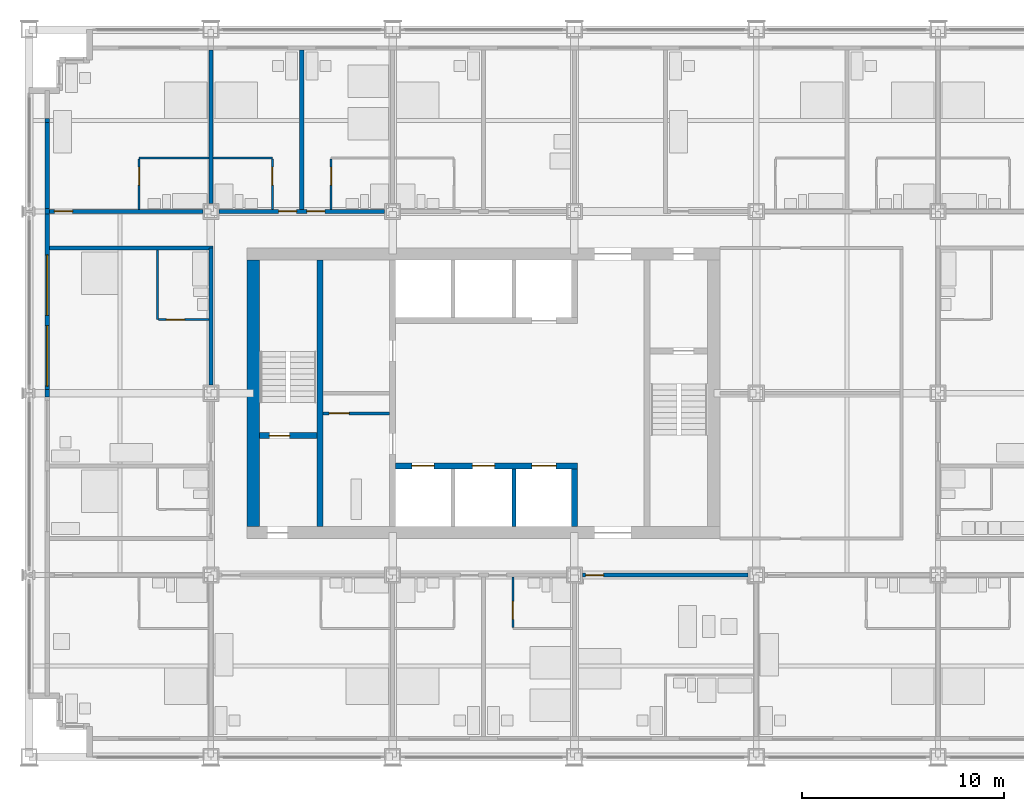
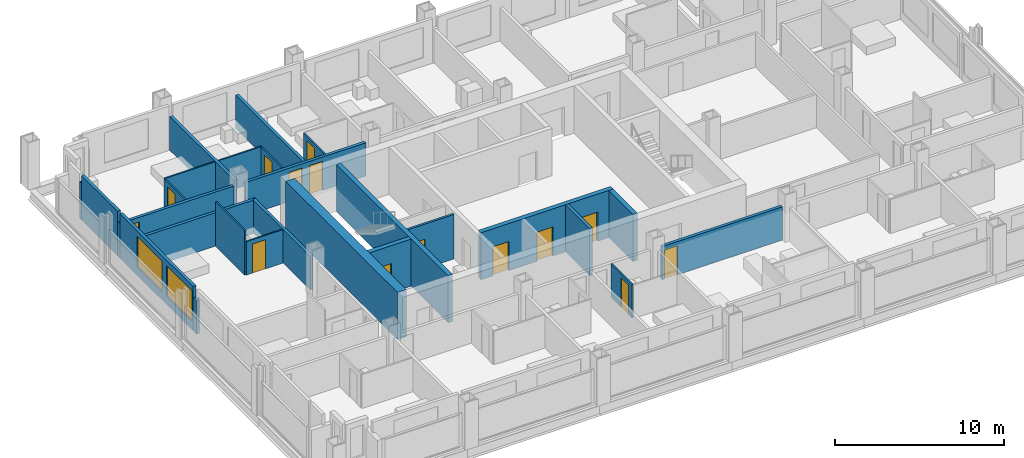
# One storey, part 11 of 18: 27 walls, 14 doors, 2 windows, 16 openings.
"""IFC4 building model written with IfcOpenShell, lengths in metres."""

from ifc_helpers import new_model, si_unit, direction, frame, frame_2d, origin, place, context, subcontext, project, spatial, rectangle, extrude, material, layer, layer_set, type_object, element, fill, save


model = new_model("IFC4")

# Units and contexts
model_context = context("Model", 3, precision=1e-05, world=origin(), true_north=direction((0.0, 1.0)))
body_context = subcontext(model_context, "Body", "Model", "MODEL_VIEW")
ifc_project = project(units=[si_unit("LENGTHUNIT", "METRE"), si_unit("AREAUNIT", "SQUARE_METRE"), si_unit("VOLUMEUNIT", "CUBIC_METRE"), si_unit("PLANEANGLEUNIT", "RADIAN"), si_unit("MASSUNIT", "GRAM", prefix="KILO")], contexts=[model_context])

# Site, building, storey
site_placement = place(None, origin())
site = spatial("IfcSite", under=ifc_project, at=site_placement, CompositionType="ELEMENT")
building_placement = place(site_placement, origin())
building = spatial("IfcBuilding", under=site, at=building_placement, Name="Loomwork Tower", CompositionType="ELEMENT")
storey_placement = place(building_placement, frame((0.0, 0.0, 65.39990234375)))
storey = spatial("IfcBuildingStorey", under=building, at=storey_placement, Name="L16", CompositionType="ELEMENT", Elevation=65.39990234375)

# Wall
ifc_material_1 = material(Name="Concrete 14000 psi (97 MPa)", Category="concrete")
ifc_layer_1 = layer(ifc_material_1, 0.300048828125)
ifc_layer_set_1 = layer_set([ifc_layer_1], Name="Core shear wall 300")
wall_type_1 = type_object("IfcWallType", Name="Core shear wall 300", PredefinedType="SHEAR", material=ifc_layer_set_1)
wall_1_placement = place(storey_placement, frame((14.39990234375, 11.39990234375, 0.0), z_axis=(0.0, 0.0, 1.0), x_axis=(0.0, 1.0, 0.0)))
element("IfcWall", 1, at=wall_1_placement, inside=storey, type_object=wall_type_1, Name="Stair A east wall L16", PredefinedType="SHEAR", context=body_context, shape_type="SweptSolid", body=[
    extrude(rectangle(XDim=13.2001953125, YDim=0.300048828125, at=frame_2d((6.60009765625, 0.0))), origin(), (0.0, 0.0, 1.0), 3.400146484375),
])

# Wall, opening, door
wall_2_placement = place(storey_placement, frame((11.39990234375, 15.89990234375, 0.0), z_axis=(0.0, 0.0, 1.0), x_axis=(1.0, 0.0, 0.0)))
wall_2 = element("IfcWall", 2, at=wall_2_placement, inside=storey, type_object=wall_type_1, Name="Stair A south wall L16", PredefinedType="SHEAR", context=body_context, shape_type="SweptSolid", body=[
    extrude(rectangle(XDim=2.85009765625, YDim=0.300048828125, at=frame_2d((1.425048828125, 0.0))), origin(), (0.0, 0.0, 1.0), 3.400146484375),
])
opening_1_placement = place(wall_2_placement, frame((0.5, 0.0, 0.0)))
opening_1 = element("IfcOpeningElement", 3, at=opening_1_placement, cuts=wall_2, Name="Opening D4", PredefinedType="OPENING", context=body_context, shape_type="SweptSolid", body=[
    extrude(rectangle(XDim=1.0, YDim=2.10009765625, at=frame_2d((0.5, 1.050048828125))), frame((0.0, 0.159912109375, 0.0), z_axis=(0.0, -1.0, 0.0), x_axis=(1.0, 0.0, 0.0)), (0.0, 0.0, 1.0), 0.320068359375),
])
ifc_material_2 = material(Name="Hollow metal door and frame")
door_type_1 = type_object("IfcDoorType", Name="Stair door 1000", OperationType="SINGLE_SWING_RIGHT", PredefinedType="DOOR", material=ifc_material_2)
door_1_placement = place(opening_1_placement, origin())
door_1 = element("IfcDoor", 4, at=door_1_placement, inside=storey, type_object=door_type_1, Name="Stair A door", OperationType="SINGLE_SWING_LEFT", OverallHeight=2.10009765625, OverallWidth=1.0, PredefinedType="DOOR", context=body_context, shape_type="SweptSolid", body=[
    extrude(rectangle(XDim=1.0, YDim=2.10009765625, at=frame_2d((0.5, 1.050048828125))), frame((0.0, 0.02490234375, 0.0), z_axis=(0.0, -1.0, 0.0), x_axis=(1.0, 0.0, 0.0)), (0.0, 0.0, 1.0), 0.050048828125),
])
fill(opening_1, door_1)

# Wall, openings, doors
wall_3_placement = place(storey_placement, frame((18.14990234375, 14.39990234375, 0.0), z_axis=(0.0, 0.0, 1.0), x_axis=(1.0, 0.0, 0.0)))
wall_3 = element("IfcWall", 5, at=wall_3_placement, inside=storey, type_object=wall_type_1, Name="Lift front wall south L16", PredefinedType="SHEAR", context=body_context, shape_type="SweptSolid", body=[
    extrude(rectangle(XDim=9.0, YDim=0.300048828125, at=frame_2d((4.5, 0.0))), origin(), (0.0, 0.0, 1.0), 3.400146484375),
])
opening_2_placement = place(wall_3_placement, frame((0.800048828125, 0.0, 0.0)))
opening_2 = element("IfcOpeningElement", 6, at=opening_2_placement, cuts=wall_3, Name="Opening LD1", PredefinedType="OPENING", context=body_context, shape_type="SweptSolid", body=[
    extrude(rectangle(XDim=1.10009765625, YDim=2.10009765625, at=frame_2d((0.550048828125, 1.050048828125))), frame((0.0, 0.159912109375, 0.0), z_axis=(0.0, -1.0, 0.0), x_axis=(1.0, 0.0, 0.0)), (0.0, 0.0, 1.0), 0.320068359375),
])
opening_3_placement = place(wall_3_placement, frame((3.800048828125, 0.0, 0.0)))
opening_3 = element("IfcOpeningElement", 7, at=opening_3_placement, cuts=wall_3, Name="Opening LD1", PredefinedType="OPENING", context=body_context, shape_type="SweptSolid", body=[
    extrude(rectangle(XDim=1.10009765625, YDim=2.10009765625, at=frame_2d((0.550048828125, 1.050048828125))), frame((0.0, 0.159912109375, 0.0), z_axis=(0.0, -1.0, 0.0), x_axis=(1.0, 0.0, 0.0)), (0.0, 0.0, 1.0), 0.320068359375),
])
opening_4_placement = place(wall_3_placement, frame((6.75, 0.0, 0.0)))
opening_4 = element("IfcOpeningElement", 8, at=opening_4_placement, cuts=wall_3, Name="Opening LD2", PredefinedType="OPENING", context=body_context, shape_type="SweptSolid", body=[
    extrude(rectangle(XDim=1.199951171875, YDim=2.10009765625, at=frame_2d((0.60009765625, 1.050048828125))), frame((0.0, 0.159912109375, 0.0), z_axis=(0.0, -1.0, 0.0), x_axis=(1.0, 0.0, 0.0)), (0.0, 0.0, 1.0), 0.320068359375),
])
ifc_material_3 = material(Name="Hollow metal door and frame")
door_type_2 = type_object("IfcDoorType", Name="Lift landing door 1100", OperationType="SLIDING_TO_LEFT", PredefinedType="DOOR", material=ifc_material_3)
door_2_placement = place(opening_2_placement, origin())
door_2 = element("IfcDoor", 9, at=door_2_placement, inside=storey, type_object=door_type_2, Name="Lift landing door LA1", OperationType="SLIDING_TO_LEFT", OverallHeight=2.10009765625, OverallWidth=1.10009765625, PredefinedType="DOOR", context=body_context, shape_type="SweptSolid", body=[
    extrude(rectangle(XDim=1.10009765625, YDim=2.10009765625, at=frame_2d((0.550048828125, 1.050048828125))), frame((0.0, 0.02490234375, 0.0), z_axis=(0.0, -1.0, 0.0), x_axis=(1.0, 0.0, 0.0)), (0.0, 0.0, 1.0), 0.050048828125),
])
fill(opening_2, door_2)
door_3_placement = place(opening_3_placement, origin())
door_3 = element("IfcDoor", 10, at=door_3_placement, inside=storey, type_object=door_type_2, Name="Lift landing door LA2", OperationType="SLIDING_TO_LEFT", OverallHeight=2.10009765625, OverallWidth=1.10009765625, PredefinedType="DOOR", context=body_context, shape_type="SweptSolid", body=[
    extrude(rectangle(XDim=1.10009765625, YDim=2.10009765625, at=frame_2d((0.550048828125, 1.050048828125))), frame((0.0, 0.02490234375, 0.0), z_axis=(0.0, -1.0, 0.0), x_axis=(1.0, 0.0, 0.0)), (0.0, 0.0, 1.0), 0.050048828125),
])
fill(opening_3, door_3)
ifc_material_4 = material(Name="Hollow metal door and frame")
door_type_3 = type_object("IfcDoorType", Name="Lift landing door 1200", OperationType="SLIDING_TO_LEFT", PredefinedType="DOOR", material=ifc_material_4)
door_4_placement = place(opening_4_placement, origin())
door_4 = element("IfcDoor", 11, at=door_4_placement, inside=storey, type_object=door_type_3, Name="Lift landing door LF1", OperationType="SLIDING_TO_LEFT", OverallHeight=2.10009765625, OverallWidth=1.199951171875, PredefinedType="DOOR", context=body_context, shape_type="SweptSolid", body=[
    extrude(rectangle(XDim=1.199951171875, YDim=2.10009765625, at=frame_2d((0.60009765625, 1.050048828125))), frame((0.0, 0.02490234375, 0.0), z_axis=(0.0, -1.0, 0.0), x_axis=(1.0, 0.0, 0.0)), (0.0, 0.0, 1.0), 0.050048828125),
])
fill(opening_4, door_4)

# Walls
wall_4_placement = place(storey_placement, frame((27.0, 11.39990234375, 0.0), z_axis=(0.0, 0.0, 1.0), x_axis=(0.0, 1.0, 0.0)))
element("IfcWall", 12, at=wall_4_placement, inside=storey, type_object=wall_type_1, Name="Lift shaft end wall south L16", PredefinedType="SHEAR", context=body_context, shape_type="SweptSolid", body=[
    extrude(rectangle(XDim=2.85009765625, YDim=0.300048828125, at=frame_2d((1.425048828125, 0.0))), origin(), (0.0, 0.0, 1.0), 3.400146484375),
])
ifc_material_5 = material(Name="Concrete 14000 psi (97 MPa)", Category="concrete")
ifc_layer_2 = layer(ifc_material_5, 0.60009765625)
ifc_layer_set_2 = layer_set([ifc_layer_2], Name="Core shear wall 600")
wall_type_2 = type_object("IfcWallType", Name="Core shear wall 600", PredefinedType="SHEAR", material=ifc_layer_set_2)
wall_5_placement = place(storey_placement, frame((11.10009765625, 11.39990234375, 0.0), z_axis=(0.0, 0.0, 1.0), x_axis=(0.0, 1.0, 0.0)))
element("IfcWall", 13, at=wall_5_placement, inside=storey, type_object=wall_type_2, Name="Core wall west L16", PredefinedType="SHEAR", context=body_context, shape_type="SweptSolid", body=[
    extrude(rectangle(XDim=13.2001953125, YDim=0.60009765625, at=frame_2d((6.60009765625, 0.0))), origin(), (0.0, 0.0, 1.0), 3.400146484375),
])

# Wall, opening, door
ifc_material_6 = material(Name="Gypsum board on steel studs, one-hour", Category="steel")
ifc_layer_3 = layer(ifc_material_6, 0.199951171875)
ifc_layer_set_3 = layer_set([ifc_layer_3], Name="Corridor wall 200")
wall_type_3 = type_object("IfcWallType", Name="Corridor wall 200", PredefinedType="PARTITIONING", material=ifc_layer_set_3)
wall_6_placement = place(storey_placement, frame((27.39990234375, 9.0, 0.0), z_axis=(0.0, 0.0, 1.0), x_axis=(1.0, 0.0, 0.0)))
wall_6 = element("IfcWall", 14, at=wall_6_placement, inside=storey, type_object=wall_type_3, Name="South corridor wall 4", PredefinedType="PARTITIONING", context=body_context, shape_type="SweptSolid", body=[
    extrude(rectangle(XDim=8.2001953125, YDim=0.199951171875, at=frame_2d((4.10009765625, 0.0))), origin(), (0.0, 0.0, 1.0), 2.405029296875),
])
opening_5_placement = place(wall_6_placement, frame((0.14990234375, 0.0, 0.0)))
opening_5 = element("IfcOpeningElement", 15, at=opening_5_placement, cuts=wall_6, Name="Opening D1", PredefinedType="OPENING", context=body_context, shape_type="SweptSolid", body=[
    extrude(rectangle(XDim=0.89990234375, YDim=2.10009765625, at=frame_2d((0.449951171875, 1.050048828125))), frame((0.0, 0.10986328125, 0.0), z_axis=(0.0, -1.0, 0.0), x_axis=(1.0, 0.0, 0.0)), (0.0, 0.0, 1.0), 0.219970703125),
])
ifc_material_7 = material(Name="Hollow metal door and frame")
door_type_4 = type_object("IfcDoorType", Name="Guest room entry door 900", OperationType="SINGLE_SWING_LEFT", PredefinedType="DOOR", material=ifc_material_7)
door_5_placement = place(opening_5_placement, frame((0.89990234375, 0.0, 0.0), z_axis=(0.0, 0.0, 1.0), x_axis=(-1.0, 0.0, 0.0)))
door_5 = element("IfcDoor", 16, at=door_5_placement, inside=storey, type_object=door_type_4, Name="Guest room entry door L16 5", OperationType="SINGLE_SWING_RIGHT", OverallHeight=2.10009765625, OverallWidth=0.89990234375, PredefinedType="DOOR", context=body_context, shape_type="SweptSolid", body=[
    extrude(rectangle(XDim=0.89990234375, YDim=2.10009765625, at=frame_2d((0.449951171875, 1.050048828125))), frame((0.0, 0.02490234375, 0.0), z_axis=(0.0, -1.0, 0.0), x_axis=(1.0, 0.0, 0.0)), (0.0, 0.0, 1.0), 0.050048828125),
])
fill(opening_5, door_5)

wall_7_placement = place(storey_placement, frame((1.0, 27.0, 0.0), z_axis=(0.0, 0.0, 1.0), x_axis=(1.0, 0.0, 0.0)))
wall_7 = element("IfcWall", 17, at=wall_7_placement, inside=storey, type_object=wall_type_3, Name="North corridor wall 1", PredefinedType="PARTITIONING", context=body_context, shape_type="SweptSolid", body=[
    extrude(rectangle(XDim=7.60009765625, YDim=0.199951171875, at=frame_2d((3.800048828125, 0.0))), origin(), (0.0, 0.0, 1.0), 2.43798828125),
])
opening_6_placement = place(wall_7_placement, frame((0.25, 0.0, 0.0)))
opening_6 = element("IfcOpeningElement", 18, at=opening_6_placement, cuts=wall_7, Name="Opening D1", PredefinedType="OPENING", context=body_context, shape_type="SweptSolid", body=[
    extrude(rectangle(XDim=0.89990234375, YDim=2.10009765625, at=frame_2d((0.449951171875, 1.050048828125))), frame((0.0, 0.10986328125, 0.0), z_axis=(0.0, -1.0, 0.0), x_axis=(1.0, 0.0, 0.0)), (0.0, 0.0, 1.0), 0.219970703125),
])
door_6_placement = place(opening_6_placement, origin())
door_6 = element("IfcDoor", 19, at=door_6_placement, inside=storey, type_object=door_type_4, Name="Guest room entry door L16 8", OperationType="SINGLE_SWING_LEFT", OverallHeight=2.10009765625, OverallWidth=0.89990234375, PredefinedType="DOOR", context=body_context, shape_type="SweptSolid", body=[
    extrude(rectangle(XDim=0.89990234375, YDim=2.10009765625, at=frame_2d((0.449951171875, 1.050048828125))), frame((0.0, 0.02490234375, 0.0), z_axis=(0.0, -1.0, 0.0), x_axis=(1.0, 0.0, 0.0)), (0.0, 0.0, 1.0), 0.050048828125),
])
fill(opening_6, door_6)

# Wall, openings, doors
wall_8_placement = place(storey_placement, frame((9.39990234375, 27.0, 0.0), z_axis=(0.0, 0.0, 1.0), x_axis=(1.0, 0.0, 0.0)))
wall_8 = element("IfcWall", 20, at=wall_8_placement, inside=storey, type_object=wall_type_3, Name="North corridor wall 2", PredefinedType="PARTITIONING", context=body_context, shape_type="SweptSolid", body=[
    extrude(rectangle(XDim=8.2001953125, YDim=0.199951171875, at=frame_2d((4.10009765625, 0.0))), origin(), (0.0, 0.0, 1.0), 2.405029296875),
])
opening_7_placement = place(wall_8_placement, frame((2.949951171875, 0.0, 0.0)))
opening_7 = element("IfcOpeningElement", 21, at=opening_7_placement, cuts=wall_8, Name="Opening D1", PredefinedType="OPENING", context=body_context, shape_type="SweptSolid", body=[
    extrude(rectangle(XDim=0.89990234375, YDim=2.10009765625, at=frame_2d((0.449951171875, 1.050048828125))), frame((0.0, 0.10986328125, 0.0), z_axis=(0.0, -1.0, 0.0), x_axis=(1.0, 0.0, 0.0)), (0.0, 0.0, 1.0), 0.219970703125),
])
opening_8_placement = place(wall_8_placement, frame((4.35009765625, 0.0, 0.0)))
opening_8 = element("IfcOpeningElement", 22, at=opening_8_placement, cuts=wall_8, Name="Opening D1", PredefinedType="OPENING", context=body_context, shape_type="SweptSolid", body=[
    extrude(rectangle(XDim=0.89990234375, YDim=2.10009765625, at=frame_2d((0.449951171875, 1.050048828125))), frame((0.0, 0.10986328125, 0.0), z_axis=(0.0, -1.0, 0.0), x_axis=(1.0, 0.0, 0.0)), (0.0, 0.0, 1.0), 0.219970703125),
])
door_7_placement = place(opening_7_placement, origin())
door_7 = element("IfcDoor", 23, at=door_7_placement, inside=storey, type_object=door_type_4, Name="Guest room entry door L16 9", OperationType="SINGLE_SWING_RIGHT", OverallHeight=2.10009765625, OverallWidth=0.89990234375, PredefinedType="DOOR", context=body_context, shape_type="SweptSolid", body=[
    extrude(rectangle(XDim=0.89990234375, YDim=2.10009765625, at=frame_2d((0.449951171875, 1.050048828125))), frame((0.0, 0.02490234375, 0.0), z_axis=(0.0, -1.0, 0.0), x_axis=(1.0, 0.0, 0.0)), (0.0, 0.0, 1.0), 0.050048828125),
])
fill(opening_7, door_7)
door_8_placement = place(opening_8_placement, origin())
door_8 = element("IfcDoor", 24, at=door_8_placement, inside=storey, type_object=door_type_4, Name="Guest room entry door L16 10", OperationType="SINGLE_SWING_LEFT", OverallHeight=2.10009765625, OverallWidth=0.89990234375, PredefinedType="DOOR", context=body_context, shape_type="SweptSolid", body=[
    extrude(rectangle(XDim=0.89990234375, YDim=2.10009765625, at=frame_2d((0.449951171875, 1.050048828125))), frame((0.0, 0.02490234375, 0.0), z_axis=(0.0, -1.0, 0.0), x_axis=(1.0, 0.0, 0.0)), (0.0, 0.0, 1.0), 0.050048828125),
])
fill(opening_8, door_8)

# Walls
wall_9_placement = place(storey_placement, frame((9.0, 18.39990234375, 0.0), z_axis=(0.0, 0.0, 1.0), x_axis=(0.0, 1.0, 0.0)))
element("IfcWall", 25, at=wall_9_placement, inside=storey, type_object=wall_type_3, Name="West corridor wall 2", PredefinedType="PARTITIONING", context=body_context, shape_type="SweptSolid", body=[
    extrude(rectangle(XDim=6.800048828125, YDim=0.199951171875, at=frame_2d((3.39990234375, 0.0))), origin(), (0.0, 0.0, 1.0), 2.405029296875),
])
wall_10_placement = place(storey_placement, frame((1.0, 25.199951171875, 0.0), z_axis=(0.0, 0.0, 1.0), x_axis=(1.0, 0.0, 0.0)))
element("IfcWall", 26, at=wall_10_placement, inside=storey, type_object=wall_type_3, Name="West band end wall N", PredefinedType="PARTITIONING", context=body_context, shape_type="SweptSolid", body=[
    extrude(rectangle(XDim=8.10009765625, YDim=0.199951171875, at=frame_2d((4.050048828125, 0.0))), origin(), (0.0, 0.0, 1.0), 2.404052734375),
])

# Wall, opening, door
ifc_material_8 = material(Name="Cement board on steel studs", Category="steel")
ifc_layer_4 = layer(ifc_material_8, 0.10009765625)
ifc_layer_set_4 = layer_set([ifc_layer_4], Name="En-suite partition 100")
wall_type_4 = type_object("IfcWallType", Name="En-suite partition 100", PredefinedType="PARTITIONING", material=ifc_layer_set_4)
wall_11_placement = place(storey_placement, frame((23.949951171875, 8.89990234375, 0.0), z_axis=(0.0, 0.0, 1.0), x_axis=(0.0, -1.0, 0.0)))
wall_11 = element("IfcWall", 27, at=wall_11_placement, inside=storey, type_object=wall_type_4, Name="En-suite side wall L16 room 4", PredefinedType="PARTITIONING", context=body_context, shape_type="SweptSolid", body=[
    extrude(rectangle(XDim=2.5, YDim=0.10009765625, at=frame_2d((1.25, 0.0))), origin(), (0.0, 0.0, 1.0), 2.404052734375),
])
opening_9_placement = place(wall_11_placement, frame((1.199951171875, 0.0, 0.0)))
opening_9 = element("IfcOpeningElement", 28, at=opening_9_placement, cuts=wall_11, Name="Opening D2", PredefinedType="OPENING", context=body_context, shape_type="SweptSolid", body=[
    extrude(rectangle(XDim=0.89990234375, YDim=2.10009765625, at=frame_2d((0.449951171875, 1.050048828125))), frame((0.0, 0.06005859375, 0.0), z_axis=(0.0, -1.0, 0.0), x_axis=(1.0, 0.0, 0.0)), (0.0, 0.0, 1.0), 0.1201171875),
])
ifc_material_9 = material(Name="Hollow metal door and frame")
door_type_5 = type_object("IfcDoorType", Name="En-suite door 900", OperationType="SINGLE_SWING_LEFT", PredefinedType="DOOR", material=ifc_material_9)
door_9_placement = place(opening_9_placement, origin())
door_9 = element("IfcDoor", 29, at=door_9_placement, inside=storey, type_object=door_type_5, Name="En-suite door room 4", OperationType="SINGLE_SWING_RIGHT", OverallHeight=2.10009765625, OverallWidth=0.89990234375, PredefinedType="DOOR", context=body_context, shape_type="SweptSolid", body=[
    extrude(rectangle(XDim=0.89990234375, YDim=2.10009765625, at=frame_2d((0.449951171875, 1.050048828125))), frame((0.0, 0.02490234375, 0.0), z_axis=(0.0, -1.0, 0.0), x_axis=(1.0, 0.0, 0.0)), (0.0, 0.0, 1.0), 0.050048828125),
])
fill(opening_9, door_9)

# Wall
wall_12_placement = place(storey_placement, frame((5.449951171875, 29.64990234375, 0.0), z_axis=(0.0, 0.0, 1.0), x_axis=(1.0, 0.0, 0.0)))
element("IfcWall", 30, at=wall_12_placement, inside=storey, type_object=wall_type_4, Name="En-suite wall L16 room 8", PredefinedType="PARTITIONING", context=body_context, shape_type="SweptSolid", body=[
    extrude(rectangle(XDim=3.449951171875, YDim=0.10009765625, at=frame_2d((1.72509765625, 0.0))), origin(), (0.0, 0.0, 1.0), 2.43798828125),
])

# Wall, opening, door
wall_13_placement = place(storey_placement, frame((5.449951171875, 27.10009765625, 0.0), z_axis=(0.0, 0.0, 1.0), x_axis=(0.0, 1.0, 0.0)))
wall_13 = element("IfcWall", 31, at=wall_13_placement, inside=storey, type_object=wall_type_4, Name="En-suite side wall L16 room 8", PredefinedType="PARTITIONING", context=body_context, shape_type="SweptSolid", body=[
    extrude(rectangle(XDim=2.5, YDim=0.10009765625, at=frame_2d((1.25, 0.0))), origin(), (0.0, 0.0, 1.0), 2.43798828125),
])
opening_10_placement = place(wall_13_placement, frame((1.199951171875, 0.0, 0.0)))
opening_10 = element("IfcOpeningElement", 32, at=opening_10_placement, cuts=wall_13, Name="Opening D2", PredefinedType="OPENING", context=body_context, shape_type="SweptSolid", body=[
    extrude(rectangle(XDim=0.89990234375, YDim=2.10009765625, at=frame_2d((0.449951171875, 1.050048828125))), frame((0.0, 0.06005859375, 0.0), z_axis=(0.0, -1.0, 0.0), x_axis=(1.0, 0.0, 0.0)), (0.0, 0.0, 1.0), 0.1201171875),
])
door_10_placement = place(opening_10_placement, frame((0.89990234375, 0.0, 0.0), z_axis=(0.0, 0.0, 1.0), x_axis=(-1.0, 0.0, 0.0)))
door_10 = element("IfcDoor", 33, at=door_10_placement, inside=storey, type_object=door_type_5, Name="En-suite door room 8", OperationType="SINGLE_SWING_LEFT", OverallHeight=2.10009765625, OverallWidth=0.89990234375, PredefinedType="DOOR", context=body_context, shape_type="SweptSolid", body=[
    extrude(rectangle(XDim=0.89990234375, YDim=2.10009765625, at=frame_2d((0.449951171875, 1.050048828125))), frame((0.0, 0.02490234375, 0.0), z_axis=(0.0, -1.0, 0.0), x_axis=(1.0, 0.0, 0.0)), (0.0, 0.0, 1.0), 0.050048828125),
])
fill(opening_10, door_10)

# Wall
wall_14_placement = place(storey_placement, frame((9.10009765625, 29.64990234375, 0.0), z_axis=(0.0, 0.0, 1.0), x_axis=(1.0, 0.0, 0.0)))
element("IfcWall", 34, at=wall_14_placement, inside=storey, type_object=wall_type_4, Name="En-suite wall L16 room 9", PredefinedType="PARTITIONING", context=body_context, shape_type="SweptSolid", body=[
    extrude(rectangle(XDim=2.949951171875, YDim=0.10009765625, at=frame_2d((1.47509765625, 0.0))), origin(), (0.0, 0.0, 1.0), 2.43798828125),
])

# Wall, opening, door
wall_15_placement = place(storey_placement, frame((12.050048828125, 27.10009765625, 0.0), z_axis=(0.0, 0.0, 1.0), x_axis=(0.0, 1.0, 0.0)))
wall_15 = element("IfcWall", 35, at=wall_15_placement, inside=storey, type_object=wall_type_4, Name="En-suite side wall L16 room 9", PredefinedType="PARTITIONING", context=body_context, shape_type="SweptSolid", body=[
    extrude(rectangle(XDim=2.5, YDim=0.10009765625, at=frame_2d((1.25, 0.0))), origin(), (0.0, 0.0, 1.0), 2.404052734375),
])
opening_11_placement = place(wall_15_placement, frame((1.199951171875, 0.0, 0.0)))
opening_11 = element("IfcOpeningElement", 36, at=opening_11_placement, cuts=wall_15, Name="Opening D2", PredefinedType="OPENING", context=body_context, shape_type="SweptSolid", body=[
    extrude(rectangle(XDim=0.89990234375, YDim=2.10009765625, at=frame_2d((0.449951171875, 1.050048828125))), frame((0.0, 0.06005859375, 0.0), z_axis=(0.0, -1.0, 0.0), x_axis=(1.0, 0.0, 0.0)), (0.0, 0.0, 1.0), 0.1201171875),
])
door_11_placement = place(opening_11_placement, origin())
door_11 = element("IfcDoor", 37, at=door_11_placement, inside=storey, type_object=door_type_5, Name="En-suite door room 9", OperationType="SINGLE_SWING_RIGHT", OverallHeight=2.10009765625, OverallWidth=0.89990234375, PredefinedType="DOOR", context=body_context, shape_type="SweptSolid", body=[
    extrude(rectangle(XDim=0.89990234375, YDim=2.10009765625, at=frame_2d((0.449951171875, 1.050048828125))), frame((0.0, 0.02490234375, 0.0), z_axis=(0.0, -1.0, 0.0), x_axis=(1.0, 0.0, 0.0)), (0.0, 0.0, 1.0), 0.050048828125),
])
fill(opening_11, door_11)

wall_16_placement = place(storey_placement, frame((14.949951171875, 27.10009765625, 0.0), z_axis=(0.0, 0.0, 1.0), x_axis=(0.0, 1.0, 0.0)))
wall_16 = element("IfcWall", 38, at=wall_16_placement, inside=storey, type_object=wall_type_4, Name="En-suite side wall L16 room 10", PredefinedType="PARTITIONING", context=body_context, shape_type="SweptSolid", body=[
    extrude(rectangle(XDim=2.5, YDim=0.10009765625, at=frame_2d((1.25, 0.0))), origin(), (0.0, 0.0, 1.0), 2.404052734375),
])
opening_12_placement = place(wall_16_placement, frame((1.199951171875, 0.0, 0.0)))
opening_12 = element("IfcOpeningElement", 39, at=opening_12_placement, cuts=wall_16, Name="Opening D2", PredefinedType="OPENING", context=body_context, shape_type="SweptSolid", body=[
    extrude(rectangle(XDim=0.89990234375, YDim=2.10009765625, at=frame_2d((0.449951171875, 1.050048828125))), frame((0.0, 0.06005859375, 0.0), z_axis=(0.0, -1.0, 0.0), x_axis=(1.0, 0.0, 0.0)), (0.0, 0.0, 1.0), 0.1201171875),
])
door_12_placement = place(opening_12_placement, frame((0.89990234375, 0.0, 0.0), z_axis=(0.0, 0.0, 1.0), x_axis=(-1.0, 0.0, 0.0)))
door_12 = element("IfcDoor", 40, at=door_12_placement, inside=storey, type_object=door_type_5, Name="En-suite door room 10", OperationType="SINGLE_SWING_LEFT", OverallHeight=2.10009765625, OverallWidth=0.89990234375, PredefinedType="DOOR", context=body_context, shape_type="SweptSolid", body=[
    extrude(rectangle(XDim=0.89990234375, YDim=2.10009765625, at=frame_2d((0.449951171875, 1.050048828125))), frame((0.0, 0.02490234375, 0.0), z_axis=(0.0, -1.0, 0.0), x_axis=(1.0, 0.0, 0.0)), (0.0, 0.0, 1.0), 0.050048828125),
])
fill(opening_12, door_12)

# Wall
wall_17_placement = place(storey_placement, frame((6.35009765625, 21.64990234375, 0.0), z_axis=(0.0, 0.0, 1.0), x_axis=(0.0, 1.0, 0.0)))
element("IfcWall", 41, at=wall_17_placement, inside=storey, type_object=wall_type_4, Name="En-suite wall L16 room 17", PredefinedType="PARTITIONING", context=body_context, shape_type="SweptSolid", body=[
    extrude(rectangle(XDim=3.4501953125, YDim=0.10009765625, at=frame_2d((1.72509765625, 0.0))), origin(), (0.0, 0.0, 1.0), 3.2001953125),
])

# Wall, opening, door
wall_18_placement = place(storey_placement, frame((8.89990234375, 21.64990234375, 0.0), z_axis=(0.0, 0.0, 1.0), x_axis=(-1.0, 0.0, 0.0)))
wall_18 = element("IfcWall", 42, at=wall_18_placement, inside=storey, type_object=wall_type_4, Name="En-suite side wall L16 room 17", PredefinedType="PARTITIONING", context=body_context, shape_type="SweptSolid", body=[
    extrude(rectangle(XDim=2.5, YDim=0.10009765625, at=frame_2d((1.25, 0.0))), origin(), (0.0, 0.0, 1.0), 2.404052734375),
])
opening_13_placement = place(wall_18_placement, frame((1.199951171875, 0.0, 0.0)))
opening_13 = element("IfcOpeningElement", 43, at=opening_13_placement, cuts=wall_18, Name="Opening D2", PredefinedType="OPENING", context=body_context, shape_type="SweptSolid", body=[
    extrude(rectangle(XDim=0.89990234375, YDim=2.10009765625, at=frame_2d((0.449951171875, 1.050048828125))), frame((0.0, 0.06005859375, 0.0), z_axis=(0.0, -1.0, 0.0), x_axis=(1.0, 0.0, 0.0)), (0.0, 0.0, 1.0), 0.1201171875),
])
door_13_placement = place(opening_13_placement, frame((0.89990234375, 0.0, 0.0), z_axis=(0.0, 0.0, 1.0), x_axis=(-1.0, 0.0, 0.0)))
door_13 = element("IfcDoor", 44, at=door_13_placement, inside=storey, type_object=door_type_5, Name="En-suite door room 17", OperationType="SINGLE_SWING_LEFT", OverallHeight=2.10009765625, OverallWidth=0.89990234375, PredefinedType="DOOR", context=body_context, shape_type="SweptSolid", body=[
    extrude(rectangle(XDim=0.89990234375, YDim=2.10009765625, at=frame_2d((0.449951171875, 1.050048828125))), frame((0.0, 0.02490234375, 0.0), z_axis=(0.0, -1.0, 0.0), x_axis=(1.0, 0.0, 0.0)), (0.0, 0.0, 1.0), 0.050048828125),
])
fill(opening_13, door_13)

# Walls
ifc_material_10 = material(Name="Gypsum board on steel studs, acoustic", Category="steel")
ifc_layer_5 = layer(ifc_material_10, 0.199951171875)
ifc_layer_set_5 = layer_set([ifc_layer_5], Name="Guest room party wall 200")
wall_type_5 = type_object("IfcWallType", Name="Guest room party wall 200", PredefinedType="PARTITIONING", material=ifc_layer_set_5)
wall_19_placement = place(storey_placement, frame((9.0, 27.39990234375, 0.0), z_axis=(0.0, 0.0, 1.0), x_axis=(0.0, 1.0, 0.0)))
element("IfcWall", 45, at=wall_19_placement, inside=storey, type_object=wall_type_5, Name="Guest room party wall N 9", PredefinedType="PARTITIONING", context=body_context, shape_type="SweptSolid", body=[
    extrude(rectangle(XDim=7.60009765625, YDim=0.199951171875, at=frame_2d((3.800048828125, 0.0))), origin(), (0.0, 0.0, 1.0), 2.43798828125),
])
wall_20_placement = place(storey_placement, frame((13.5, 27.10009765625, 0.0), z_axis=(0.0, 0.0, 1.0), x_axis=(0.0, 1.0, 0.0)))
element("IfcWall", 46, at=wall_20_placement, inside=storey, type_object=wall_type_5, Name="Guest room party wall N 13.5", PredefinedType="PARTITIONING", context=body_context, shape_type="SweptSolid", body=[
    extrude(rectangle(XDim=7.89990234375, YDim=0.199951171875, at=frame_2d((3.949951171875, 0.0))), origin(), (0.0, 0.0, 1.0), 2.404052734375),
])
ifc_material_11 = material(Name="Insulated steel stud wall with gypsum lining", Category="steel")
ifc_layer_6 = layer(ifc_material_11, 0.199951171875)
ifc_layer_set_6 = layer_set([ifc_layer_6], Name="Inner skin wall 200")
wall_type_6 = type_object("IfcWallType", Name="Inner skin wall 200", PredefinedType="SOLIDWALL", material=ifc_layer_set_6)
wall_21_placement = place(storey_placement, frame((0.89990234375, 17.80615234375, 0.0), z_axis=(0.0, 0.0, 1.0), x_axis=(0.0, 1.0, 0.0)))
element("IfcWall", 47, at=wall_21_placement, inside=storey, type_object=wall_type_6, Name="Inner skin wall W bay 6", PredefinedType="SOLIDWALL", context=body_context, shape_type="SweptSolid", body=[
    extrude(rectangle(XDim=0.3876953125, YDim=0.199951171875, at=frame_2d((0.19384765625, 0.0))), origin(), (0.0, 0.0, 1.0), 2.404052734375),
])

# Wall, openings, windows
wall_22_placement = place(storey_placement, frame((0.89990234375, 18.19384765625, 0.0), z_axis=(0.0, 0.0, 1.0), x_axis=(0.0, 1.0, 0.0)))
wall_22 = element("IfcWall", 48, at=wall_22_placement, inside=storey, type_object=wall_type_6, Name="Inner skin wall W bay 7", PredefinedType="SOLIDWALL", context=body_context, shape_type="SweptSolid", body=[
    extrude(rectangle(XDim=8.6708984375, YDim=0.199951171875, at=frame_2d((4.33544921875, 0.0))), origin(), (0.0, 0.0, 1.0), 3.2001953125),
])
opening_14_placement = place(wall_22_placement, frame((0.15625, 0.0, 0.60009765625)))
opening_14 = element("IfcOpeningElement", 49, at=opening_14_placement, cuts=wall_22, Name="Opening CH1", PredefinedType="OPENING", context=body_context, shape_type="SweptSolid", body=[
    extrude(rectangle(XDim=3.0, YDim=2.199951171875, at=frame_2d((1.5, 1.10009765625))), frame((0.0, 0.10986328125, 0.0), z_axis=(0.0, -1.0, 0.0), x_axis=(1.0, 0.0, 0.0)), (0.0, 0.0, 1.0), 0.219970703125),
])
opening_15_placement = place(wall_22_placement, frame((3.65625, 0.0, 0.60009765625)))
opening_15 = element("IfcOpeningElement", 50, at=opening_15_placement, cuts=wall_22, Name="Opening CH1", PredefinedType="OPENING", context=body_context, shape_type="SweptSolid", body=[
    extrude(rectangle(XDim=3.0, YDim=2.199951171875, at=frame_2d((1.5, 1.10009765625))), frame((0.0, 0.10986328125, 0.0), z_axis=(0.0, -1.0, 0.0), x_axis=(1.0, 0.0, 0.0)), (0.0, 0.0, 1.0), 0.219970703125),
])
ifc_material_12 = material(Name="Aluminium frame with clear insulated glass", Category="aluminium")
window_type = type_object("IfcWindowType", Name="Chicago window 3000", PartitioningType="TRIPLE_PANEL_VERTICAL", PredefinedType="WINDOW", material=ifc_material_12)
window_1_placement = place(opening_14_placement, origin())
window_1 = element("IfcWindow", 51, at=window_1_placement, inside=storey, type_object=window_type, Name="Chicago window L16 bay 14", OverallHeight=2.199951171875, OverallWidth=3.0, PartitioningType="TRIPLE_PANEL_VERTICAL", PredefinedType="WINDOW", context=body_context, shape_type="SweptSolid", body=[
    extrude(rectangle(XDim=3.0, YDim=2.199951171875, at=frame_2d((1.5, 1.10009765625))), frame((0.0, 0.030029296875, 0.0), z_axis=(0.0, -1.0, 0.0), x_axis=(1.0, 0.0, 0.0)), (0.0, 0.0, 1.0), 0.06005859375),
])
fill(opening_14, window_1)
window_2_placement = place(opening_15_placement, origin())
window_2 = element("IfcWindow", 52, at=window_2_placement, inside=storey, type_object=window_type, Name="Chicago window L16 bay 14", OverallHeight=2.199951171875, OverallWidth=3.0, PartitioningType="TRIPLE_PANEL_VERTICAL", PredefinedType="WINDOW", context=body_context, shape_type="SweptSolid", body=[
    extrude(rectangle(XDim=3.0, YDim=2.199951171875, at=frame_2d((1.5, 1.10009765625))), frame((0.0, 0.030029296875, 0.0), z_axis=(0.0, -1.0, 0.0), x_axis=(1.0, 0.0, 0.0)), (0.0, 0.0, 1.0), 0.06005859375),
])
fill(opening_15, window_2)

# Walls
wall_23_placement = place(storey_placement, frame((0.89990234375, 26.86474609375, 0.0), z_axis=(0.0, 0.0, 1.0), x_axis=(0.0, 1.0, 0.0)))
element("IfcWall", 53, at=wall_23_placement, inside=storey, type_object=wall_type_6, Name="Inner skin wall W bay 8", PredefinedType="SOLIDWALL", context=body_context, shape_type="SweptSolid", body=[
    extrude(rectangle(XDim=0.2705078125, YDim=0.199951171875, at=frame_2d((0.13525390625, 0.0))), origin(), (0.0, 0.0, 1.0), 2.43798828125),
])
wall_24_placement = place(storey_placement, frame((0.89990234375, 27.13525390625, 0.0), z_axis=(0.0, 0.0, 1.0), x_axis=(0.0, 1.0, 0.0)))
element("IfcWall", 54, at=wall_24_placement, inside=storey, type_object=wall_type_6, Name="Inner skin wall W bay 9", PredefinedType="SOLIDWALL", context=body_context, shape_type="SweptSolid", body=[
    extrude(rectangle(XDim=4.25732421875, YDim=0.199951171875, at=frame_2d((2.128662109375, 0.0))), origin(), (0.0, 0.0, 1.0), 3.2001953125),
])
wall_25_placement = place(storey_placement, frame((0.89990234375, 31.392578125, 0.0), z_axis=(0.0, 0.0, 1.0), x_axis=(0.0, 1.0, 0.0)))
element("IfcWall", 55, at=wall_25_placement, inside=storey, type_object=wall_type_6, Name="Inner skin wall W bay 10", PredefinedType="SOLIDWALL", context=body_context, shape_type="SweptSolid", body=[
    extrude(rectangle(XDim=0.21484375, YDim=0.199951171875, at=frame_2d((0.107421875, 0.0))), origin(), (0.0, 0.0, 1.0), 2.6611328125),
])
ifc_material_13 = material(Name="Concrete 14000 psi (97 MPa)", Category="concrete")
ifc_layer_7 = layer(ifc_material_13, 0.199951171875)
ifc_layer_set_7 = layer_set([ifc_layer_7], Name="Lift shaft wall 200")
wall_type_7 = type_object("IfcWallType", Name="Lift shaft wall 200", PredefinedType="SHEAR", material=ifc_layer_set_7)
wall_26_placement = place(storey_placement, frame((24.0, 11.39990234375, 0.0), z_axis=(0.0, 0.0, 1.0), x_axis=(0.0, 1.0, 0.0)))
element("IfcWall", 56, at=wall_26_placement, inside=storey, type_object=wall_type_7, Name="Lift shaft separation wall south 2 L16", PredefinedType="SHEAR", context=body_context, shape_type="SweptSolid", body=[
    extrude(rectangle(XDim=2.85009765625, YDim=0.199951171875, at=frame_2d((1.425048828125, 0.0))), origin(), (0.0, 0.0, 1.0), 3.400146484375),
])

# Wall, opening, door
ifc_material_14 = material(Name="Gypsum board on steel studs, one-hour", Category="steel")
ifc_layer_8 = layer(ifc_material_14, 0.14990234375)
ifc_layer_set_8 = layer_set([ifc_layer_8], Name="Service partition 150")
wall_type_8 = type_object("IfcWallType", Name="Service partition 150", PredefinedType="PARTITIONING", material=ifc_layer_set_8)
wall_27_placement = place(storey_placement, frame((14.550048828125, 17.0, 0.0), z_axis=(0.0, 0.0, 1.0), x_axis=(1.0, 0.0, 0.0)))
wall_27 = element("IfcWall", 57, at=wall_27_placement, inside=storey, type_object=wall_type_8, Name="Riser enclosure L16", PredefinedType="PARTITIONING", context=body_context, shape_type="SweptSolid", body=[
    extrude(rectangle(XDim=3.300048828125, YDim=0.14990234375, at=frame_2d((1.64990234375, 0.0))), origin(), (0.0, 0.0, 1.0), 3.2001953125),
])
opening_16_placement = place(wall_27_placement, frame((0.300048828125, 0.0, 0.0)))
opening_16 = element("IfcOpeningElement", 58, at=opening_16_placement, cuts=wall_27, Name="Opening D18", PredefinedType="OPENING", context=body_context, shape_type="SweptSolid", body=[
    extrude(rectangle(XDim=1.0, YDim=2.10009765625, at=frame_2d((0.5, 1.050048828125))), frame((0.0, 0.0849609375, 0.0), z_axis=(0.0, -1.0, 0.0), x_axis=(1.0, 0.0, 0.0)), (0.0, 0.0, 1.0), 0.169921875),
])
ifc_material_15 = material(Name="Hollow metal door and frame")
door_type_6 = type_object("IfcDoorType", Name="Ninety-minute service door 1000", OperationType="SINGLE_SWING_LEFT", PredefinedType="DOOR", material=ifc_material_15)
door_14_placement = place(opening_16_placement, frame((1.0, 0.0, 0.0), z_axis=(0.0, 0.0, 1.0), x_axis=(-1.0, 0.0, 0.0)))
door_14 = element("IfcDoor", 59, at=door_14_placement, inside=storey, type_object=door_type_6, Name="Riser access door", OperationType="SINGLE_SWING_RIGHT", OverallHeight=2.10009765625, OverallWidth=1.0, PredefinedType="DOOR", context=body_context, shape_type="SweptSolid", body=[
    extrude(rectangle(XDim=1.0, YDim=2.10009765625, at=frame_2d((0.5, 1.050048828125))), frame((0.0, 0.02490234375, 0.0), z_axis=(0.0, -1.0, 0.0), x_axis=(1.0, 0.0, 0.0)), (0.0, 0.0, 1.0), 0.050048828125),
])
fill(opening_16, door_14)

save(model, "model.ifc")
